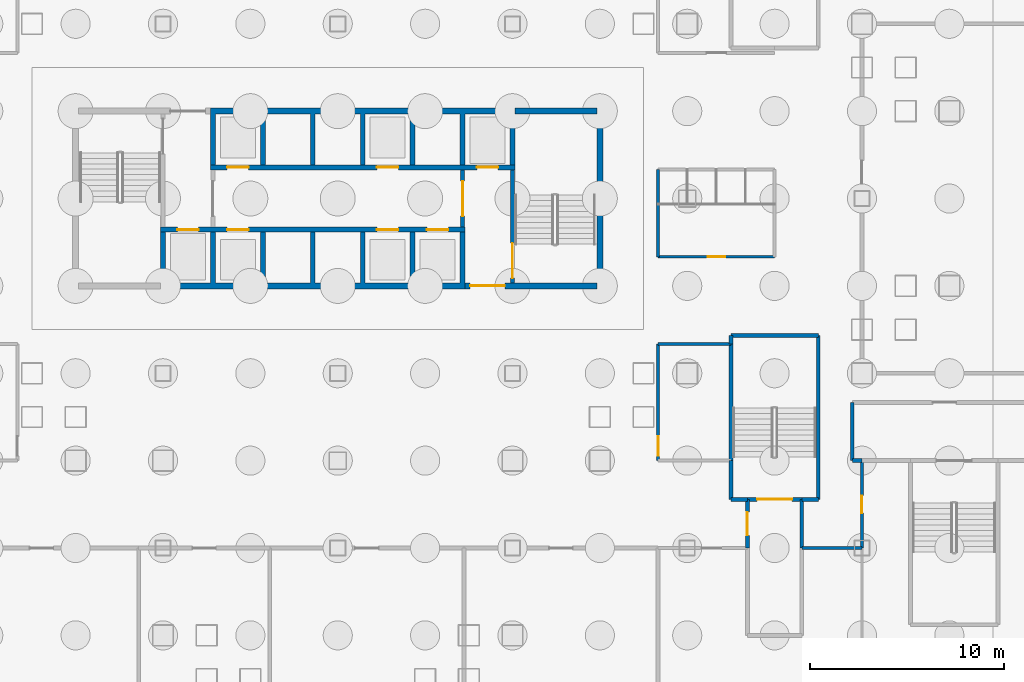
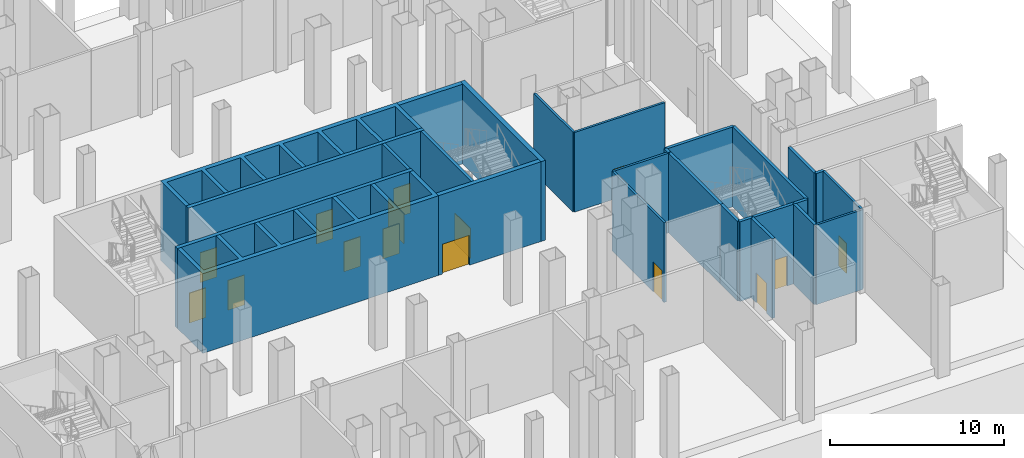
# One storey, part 4 of 25: 27 walls, 15 doors, 15 openings.
"""IFC4 building model written with IfcOpenShell, lengths in metres."""

from ifc_helpers import new_model, si_unit, direction, frame, frame_2d, origin, place, context, subcontext, project, spatial, polyline, rectangle, outline, extrude, material, layer, layer_set, type_object, element, fill, save


model = new_model("IFC4")

# Units and contexts
model_context = context("Model", 3, precision=1e-05, world=origin(), true_north=direction((0.0, 1.0)))
body_context = subcontext(model_context, "Body", "Model", "MODEL_VIEW")
ifc_project = project(units=[si_unit("LENGTHUNIT", "METRE"), si_unit("AREAUNIT", "SQUARE_METRE"), si_unit("VOLUMEUNIT", "CUBIC_METRE"), si_unit("PLANEANGLEUNIT", "RADIAN"), si_unit("MASSUNIT", "GRAM", prefix="KILO")], contexts=[model_context])

# Site, building, storey
site_placement = place(None, origin())
site = spatial("IfcSite", under=ifc_project, at=site_placement, CompositionType="ELEMENT")
building_placement = place(site_placement, origin())
building = spatial("IfcBuilding", under=site, at=building_placement, Name="Caravel Reach Hotel and Residences", CompositionType="ELEMENT")
storey_placement = place(building_placement, frame((0.0, 0.0, -6.0)))
storey = spatial("IfcBuildingStorey", under=building, at=storey_placement, Name="B1", CompositionType="ELEMENT", Elevation=-6.0)

# Wall
ifc_material_1 = material(Name="Autoclaved aerated block wall")
ifc_layer_1 = layer(ifc_material_1, 0.199951171875)
ifc_layer_set_1 = layer_set([ifc_layer_1], Name="Compartment wall 200 mm EI 120")
wall_type_1 = type_object("IfcWallType", Name="Compartment wall 200 mm EI 120", PredefinedType="PARTITIONING", material=ifc_layer_set_1)
wall_1_placement = place(storey_placement, frame((58.0, 13.5, 0.0), z_axis=(0.0, 0.0, 1.0), x_axis=(1.0, 0.0, 0.0)))
element("IfcWall", 1, at=wall_1_placement, inside=storey, type_object=wall_type_1, Name="B1 wall w031", PredefinedType="PARTITIONING", context=body_context, shape_type="SweptSolid", body=[
    extrude(rectangle(XDim=0.5, YDim=0.199951171875, at=frame_2d((0.25, 0.0))), origin(), (0.0, 0.0, 1.0), 5.60009765625),
])

# Wall, opening, door
wall_2_placement = place(storey_placement, frame((52.60009765625, 9.0, 0.0), z_axis=(0.0, 0.0, 1.0), x_axis=(0.0, 1.0, 0.0)))
wall_2 = element("IfcWall", 2, at=wall_2_placement, inside=storey, type_object=wall_type_1, Name="B1 wall w073", PredefinedType="PARTITIONING", context=body_context, shape_type="SweptSolid", body=[
    extrude(rectangle(XDim=2.5, YDim=0.199951171875, at=frame_2d((1.25, 0.0))), origin(), (0.0, 0.0, 1.0), 5.60009765625),
])
opening_1_placement = place(wall_2_placement, frame((0.64990234375, 0.0, 0.0)))
opening_1 = element("IfcOpeningElement", 3, at=opening_1_placement, cuts=wall_2, Name="Opening DB1-020", PredefinedType="OPENING", context=body_context, shape_type="SweptSolid", body=[
    extrude(rectangle(XDim=1.199951171875, YDim=2.10009765625, at=frame_2d((0.60009765625, 1.050048828125))), frame((0.0, 0.10986328125, 0.0), z_axis=(0.0, -1.0, 0.0), x_axis=(1.0, 0.0, 0.0)), (0.0, 0.0, 1.0), 0.219970703125),
])
ifc_material_2 = material(Name="Steel fire door leaf", Category="steel")
door_type_1 = type_object("IfcDoorType", Name="Fire lobby door 1200 x 2100 EI 90", OperationType="SINGLE_SWING_LEFT", PredefinedType="DOOR", material=ifc_material_2)
door_1_placement = place(opening_1_placement, origin())
door_1 = element("IfcDoor", 4, at=door_1_placement, inside=storey, type_object=door_type_1, Name="door DB1-020", OperationType="SINGLE_SWING_RIGHT", OverallHeight=2.10009765625, OverallWidth=1.199951171875, PredefinedType="DOOR", context=body_context, shape_type="SweptSolid", body=[
    extrude(rectangle(XDim=1.199951171875, YDim=2.10009765625, at=frame_2d((0.60009765625, 1.050048828125))), frame((0.0, 0.02490234375, 0.0), z_axis=(0.0, -1.0, 0.0), x_axis=(1.0, 0.0, 0.0)), (0.0, 0.0, 1.0), 0.050048828125),
])
fill(opening_1, door_1)

# Walls
wall_3_placement = place(storey_placement, frame((55.39990234375, 9.0, 0.0), z_axis=(0.0, 0.0, 1.0), x_axis=(0.0, 1.0, 0.0)))
element("IfcWall", 5, at=wall_3_placement, inside=storey, type_object=wall_type_1, Name="B1 wall w076", PredefinedType="PARTITIONING", context=body_context, shape_type="SweptSolid", body=[
    extrude(rectangle(XDim=2.5, YDim=0.199951171875, at=frame_2d((1.25, 0.0))), origin(), (0.0, 0.0, 1.0), 5.60009765625),
])
wall_4_placement = place(storey_placement, frame((58.0, 13.5, 0.0), z_axis=(0.0, 0.0, 1.0), x_axis=(0.0, 1.0, 0.0)))
element("IfcWall", 6, at=wall_4_placement, inside=storey, type_object=wall_type_1, Name="B1 wall w079", PredefinedType="PARTITIONING", context=body_context, shape_type="SweptSolid", body=[
    extrude(rectangle(XDim=3.0, YDim=0.199951171875, at=frame_2d((1.5, 0.0))), origin(), (0.0, 0.0, 1.0), 5.60009765625),
])

# Wall, opening, door
ifc_material_3 = material(Name="Concrete C60", Category="concrete")
ifc_layer_2 = layer(ifc_material_3, 0.300048828125)
ifc_layer_set_2 = layer_set([ifc_layer_2], Name="Core wall 300 mm EI 120")
wall_type_2 = type_object("IfcWallType", Name="Core wall 300 mm EI 120", PredefinedType="SHEAR", material=ifc_layer_set_2)
wall_5_placement = place(storey_placement, frame((38.053466796875, 22.5, 0.0), z_axis=(0.0, 0.0, 1.0), x_axis=(1.0, 0.0, 0.0)))
wall_5 = element("IfcWall", 7, at=wall_5_placement, inside=storey, type_object=wall_type_2, Name="B1 core wall S2", PredefinedType="SHEAR", context=body_context, shape_type="SweptSolid", body=[
    extrude(rectangle(XDim=6.796630859375, YDim=0.300048828125, at=frame_2d((3.3984375, 0.0))), origin(), (0.0, 0.0, 1.0), 5.60009765625),
])
opening_2_placement = place(wall_5_placement, frame((0.2607421875, 0.0, 0.0)))
opening_2 = element("IfcOpeningElement", 8, at=opening_2_placement, cuts=wall_5, Name="Opening DB1-013", PredefinedType="OPENING", context=body_context, shape_type="SweptSolid", body=[
    extrude(rectangle(XDim=1.800048828125, YDim=2.10009765625, at=frame_2d((0.89990234375, 1.050048828125))), frame((0.0, 0.159912109375, 0.0), z_axis=(0.0, -1.0, 0.0), x_axis=(1.0, 0.0, 0.0)), (0.0, 0.0, 1.0), 0.320068359375),
])
ifc_material_4 = material(Name="Steel fire door leaf", Category="steel")
door_type_2 = type_object("IfcDoorType", Name="Fire lobby door pair 1800 x 2100 EI 90", OperationType="DOUBLE_DOOR_SINGLE_SWING", PredefinedType="DOOR", material=ifc_material_4)
door_2_placement = place(opening_2_placement, origin())
door_2 = element("IfcDoor", 9, at=door_2_placement, inside=storey, type_object=door_type_2, Name="lobby S door pair to corridor", OperationType="DOUBLE_DOOR_SINGLE_SWING", OverallHeight=2.10009765625, OverallWidth=1.800048828125, PredefinedType="DOOR", context=body_context, shape_type="SweptSolid", body=[
    extrude(rectangle(XDim=1.800048828125, YDim=2.10009765625, at=frame_2d((0.89990234375, 1.050048828125))), frame((0.0, 0.02490234375, 0.0), z_axis=(0.0, -1.0, 0.0), x_axis=(1.0, 0.0, 0.0)), (0.0, 0.0, 1.0), 0.050048828125),
])
fill(opening_2, door_2)

# Walls
wall_6_placement = place(storey_placement, frame((40.625, 31.5, 0.0), z_axis=(0.0, 0.0, 1.0), x_axis=(1.0, 0.0, 0.0)))
element("IfcWall", 10, at=wall_6_placement, inside=storey, type_object=wall_type_2, Name="B1 core wall N2", PredefinedType="SHEAR", context=body_context, shape_type="SweptSolid", body=[
    extrude(rectangle(XDim=4.22509765625, YDim=0.300048828125, at=frame_2d((2.112548828125, 0.0))), origin(), (0.0, 0.0, 1.0), 5.60009765625),
])
wall_7_placement = place(storey_placement, frame((45.0, 22.35009765625, 0.0), z_axis=(0.0, 0.0, 1.0), x_axis=(0.0, 1.0, 0.0)))
element("IfcWall", 11, at=wall_7_placement, inside=storey, type_object=wall_type_2, Name="B1 core wall E", PredefinedType="SHEAR", context=body_context, shape_type="SweptSolid", body=[
    extrude(rectangle(XDim=9.2998046875, YDim=0.300048828125, at=frame_2d((4.64990234375, 0.0))), origin(), (0.0, 0.0, 1.0), 5.60009765625),
])
ifc_material_5 = material(Name="Gypsum board on steel stud, fire-rated", Category="steel")
ifc_layer_3 = layer(ifc_material_5, 0.14990234375)
ifc_layer_set_3 = layer_set([ifc_layer_3], Name="Corridor wall 150 mm EI 60")
wall_type_3 = type_object("IfcWallType", Name="Corridor wall 150 mm EI 60", PredefinedType="PARTITIONING", material=ifc_layer_set_3)
wall_8_placement = place(storey_placement, frame((48.0, 19.5, 0.0), z_axis=(0.0, 0.0, 1.0), x_axis=(1.0, 0.0, 0.0)))
element("IfcWall", 12, at=wall_8_placement, inside=storey, type_object=wall_type_3, Name="B1 wall w004", PredefinedType="PARTITIONING", context=body_context, shape_type="SweptSolid", body=[
    extrude(rectangle(XDim=3.75, YDim=0.14990234375, at=frame_2d((1.875, 0.0))), origin(), (0.0, 0.0, 1.0), 5.60009765625),
])

# Wall, opening, door
wall_9_placement = place(storey_placement, frame((48.0, 24.0, 0.0), z_axis=(0.0, 0.0, 1.0), x_axis=(1.0, 0.0, 0.0)))
wall_9 = element("IfcWall", 13, at=wall_9_placement, inside=storey, type_object=wall_type_3, Name="B1 wall w005", PredefinedType="PARTITIONING", context=body_context, shape_type="SweptSolid", body=[
    extrude(rectangle(XDim=6.0, YDim=0.14990234375, at=frame_2d((3.0, 0.0))), origin(), (0.0, 0.0, 1.0), 5.60009765625),
])
opening_3_placement = place(wall_9_placement, frame((2.550048828125, 0.0, 0.0)))
opening_3 = element("IfcOpeningElement", 14, at=opening_3_placement, cuts=wall_9, Name="Opening DB1-050", PredefinedType="OPENING", context=body_context, shape_type="SweptSolid", body=[
    extrude(rectangle(XDim=0.89990234375, YDim=2.10009765625, at=frame_2d((0.449951171875, 1.050048828125))), frame((0.0, 0.0849609375, 0.0), z_axis=(0.0, -1.0, 0.0), x_axis=(1.0, 0.0, 0.0)), (0.0, 0.0, 1.0), 0.169921875),
])
ifc_material_6 = material(Name="Timber and steel door leaf", Category="steel")
door_type_3 = type_object("IfcDoorType", Name="Door 900 x 2100 timber", OperationType="SINGLE_SWING_LEFT", PredefinedType="DOOR", material=ifc_material_6)
door_3_placement = place(opening_3_placement, origin())
door_3 = element("IfcDoor", 15, at=door_3_placement, inside=storey, type_object=door_type_3, Name="door DB1-050", OperationType="SINGLE_SWING_LEFT", OverallHeight=2.10009765625, OverallWidth=0.89990234375, PredefinedType="DOOR", context=body_context, shape_type="SweptSolid", body=[
    extrude(rectangle(XDim=0.89990234375, YDim=2.10009765625, at=frame_2d((0.449951171875, 1.050048828125))), frame((0.0, 0.02490234375, 0.0), z_axis=(0.0, -1.0, 0.0), x_axis=(1.0, 0.0, 0.0)), (0.0, 0.0, 1.0), 0.050048828125),
])
fill(opening_3, door_3)

# Wall
wall_10_placement = place(storey_placement, frame((55.39990234375, 9.0, 0.0), z_axis=(0.0, 0.0, 1.0), x_axis=(1.0, 0.0, 0.0)))
element("IfcWall", 16, at=wall_10_placement, inside=storey, type_object=wall_type_3, Name="B1 wall w017", PredefinedType="PARTITIONING", context=body_context, shape_type="SweptSolid", body=[
    extrude(rectangle(XDim=3.10009765625, YDim=0.14990234375, at=frame_2d((1.550048828125, 0.0))), origin(), (0.0, 0.0, 1.0), 5.60009765625),
])

# Wall, opening, door
wall_11_placement = place(storey_placement, frame((48.0, 13.5, 0.0), z_axis=(0.0, 0.0, 1.0), x_axis=(0.0, 1.0, 0.0)))
wall_11 = element("IfcWall", 17, at=wall_11_placement, inside=storey, type_object=wall_type_3, Name="B1 wall w021", PredefinedType="PARTITIONING", context=body_context, shape_type="SweptSolid", body=[
    extrude(rectangle(XDim=6.0, YDim=0.14990234375, at=frame_2d((3.0, 0.0))), origin(), (0.0, 0.0, 1.0), 5.60009765625),
])
opening_4_placement = place(wall_11_placement, frame((0.25, 0.0, 0.0)))
opening_4 = element("IfcOpeningElement", 18, at=opening_4_placement, cuts=wall_11, Name="Opening DB1-048", PredefinedType="OPENING", context=body_context, shape_type="SweptSolid", body=[
    extrude(rectangle(XDim=1.0, YDim=2.10009765625, at=frame_2d((0.5, 1.050048828125))), frame((0.0, 0.0849609375, 0.0), z_axis=(0.0, -1.0, 0.0), x_axis=(1.0, 0.0, 0.0)), (0.0, 0.0, 1.0), 0.169921875),
])
ifc_material_7 = material(Name="Steel fire door leaf", Category="steel")
door_type_4 = type_object("IfcDoorType", Name="Fire door 1000 x 2100 EI 60", OperationType="SINGLE_SWING_LEFT", PredefinedType="DOOR", material=ifc_material_7)
door_4_placement = place(opening_4_placement, origin())
door_4 = element("IfcDoor", 19, at=door_4_placement, inside=storey, type_object=door_type_4, Name="door DB1-048", OperationType="SINGLE_SWING_LEFT", OverallHeight=2.10009765625, OverallWidth=1.0, PredefinedType="DOOR", context=body_context, shape_type="SweptSolid", body=[
    extrude(rectangle(XDim=1.0, YDim=2.10009765625, at=frame_2d((0.5, 1.050048828125))), frame((0.0, 0.02490234375, 0.0), z_axis=(0.0, -1.0, 0.0), x_axis=(1.0, 0.0, 0.0)), (0.0, 0.0, 1.0), 0.050048828125),
])
fill(opening_4, door_4)

# Wall
wall_12_placement = place(storey_placement, frame((48.0, 24.0, 0.0), z_axis=(0.0, 0.0, 1.0), x_axis=(0.0, 1.0, 0.0)))
element("IfcWall", 20, at=wall_12_placement, inside=storey, type_object=wall_type_3, Name="B1 wall w023", PredefinedType="PARTITIONING", context=body_context, shape_type="SweptSolid", body=[
    extrude(rectangle(XDim=4.5, YDim=0.14990234375, at=frame_2d((2.25, 0.0))), origin(), (0.0, 0.0, 1.0), 5.60009765625),
])

# Wall, opening, door
wall_13_placement = place(storey_placement, frame((58.5, 9.0, 0.0), z_axis=(0.0, 0.0, 1.0), x_axis=(0.0, 1.0, 0.0)))
wall_13 = element("IfcWall", 21, at=wall_13_placement, inside=storey, type_object=wall_type_3, Name="B1 wall w025", PredefinedType="PARTITIONING", context=body_context, shape_type="SweptSolid", body=[
    extrude(rectangle(XDim=4.5, YDim=0.14990234375, at=frame_2d((2.25, 0.0))), origin(), (0.0, 0.0, 1.0), 5.60009765625),
])
opening_5_placement = place(wall_13_placement, frame((1.800048828125, 0.0, 0.0)))
opening_5 = element("IfcOpeningElement", 22, at=opening_5_placement, cuts=wall_13, Name="Opening DB1-031", PredefinedType="OPENING", context=body_context, shape_type="SweptSolid", body=[
    extrude(rectangle(XDim=0.89990234375, YDim=2.10009765625, at=frame_2d((0.449951171875, 1.050048828125))), frame((0.0, 0.0849609375, 0.0), z_axis=(0.0, -1.0, 0.0), x_axis=(1.0, 0.0, 0.0)), (0.0, 0.0, 1.0), 0.169921875),
])
door_5_placement = place(opening_5_placement, origin())
door_5 = element("IfcDoor", 23, at=door_5_placement, inside=storey, type_object=door_type_3, Name="door DB1-031", OperationType="SINGLE_SWING_LEFT", OverallHeight=2.10009765625, OverallWidth=0.89990234375, PredefinedType="DOOR", context=body_context, shape_type="SweptSolid", body=[
    extrude(rectangle(XDim=0.89990234375, YDim=2.10009765625, at=frame_2d((0.449951171875, 1.050048828125))), frame((0.0, 0.02490234375, 0.0), z_axis=(0.0, -1.0, 0.0), x_axis=(1.0, 0.0, 0.0)), (0.0, 0.0, 1.0), 0.050048828125),
])
fill(opening_5, door_5)

ifc_material_8 = material(Name="Autoclaved aerated block wall")
ifc_layer_4 = layer(ifc_material_8, 0.199951171875)
ifc_layer_set_4 = layer_set([ifc_layer_4], Name="Fire lobby wall 200 mm EI 120")
wall_type_4 = type_object("IfcWallType", Name="Fire lobby wall 200 mm EI 120", PredefinedType="PARTITIONING", material=ifc_layer_set_4)
wall_14_placement = place(storey_placement, frame((37.928466796875, 25.52490234375, 0.0), z_axis=(0.0, 0.0, 1.0), x_axis=(0.0, 1.0, 0.0)))
wall_14 = element("IfcWall", 24, at=wall_14_placement, inside=storey, type_object=wall_type_4, Name="B1 lobby E wall", PredefinedType="PARTITIONING", context=body_context, shape_type="SweptSolid", body=[
    extrude(rectangle(XDim=2.9501953125, YDim=0.199951171875, at=frame_2d((1.47509765625, 0.0))), origin(), (0.0, 0.0, 1.0), 5.60009765625),
])
opening_6_placement = place(wall_14_placement, frame((0.574951171875, 0.0, 0.0)))
opening_6 = element("IfcOpeningElement", 25, at=opening_6_placement, cuts=wall_14, Name="Opening DB1-011", PredefinedType="OPENING", context=body_context, shape_type="SweptSolid", body=[
    extrude(rectangle(XDim=1.800048828125, YDim=2.10009765625, at=frame_2d((0.89990234375, 1.050048828125))), frame((0.0, 0.10986328125, 0.0), z_axis=(0.0, -1.0, 0.0), x_axis=(1.0, 0.0, 0.0)), (0.0, 0.0, 1.0), 0.219970703125),
])
door_6_placement = place(opening_6_placement, origin())
door_6 = element("IfcDoor", 26, at=door_6_placement, inside=storey, type_object=door_type_2, Name="lobby E door pair", OperationType="DOUBLE_DOOR_SINGLE_SWING", OverallHeight=2.10009765625, OverallWidth=1.800048828125, PredefinedType="DOOR", context=body_context, shape_type="SweptSolid", body=[
    extrude(rectangle(XDim=1.800048828125, YDim=2.10009765625, at=frame_2d((0.89990234375, 1.050048828125))), frame((0.0, 0.02490234375, 0.0), z_axis=(0.0, -1.0, 0.0), x_axis=(1.0, 0.0, 0.0)), (0.0, 0.0, 1.0), 0.050048828125),
])
fill(opening_6, door_6)

# Walls
ifc_material_9 = material(Name="Concrete C60", Category="concrete")
ifc_layer_5 = layer(ifc_material_9, 0.25)
ifc_layer_set_5 = layer_set([ifc_layer_5], Name="Shaft wall 250 mm EI 120")
wall_type_5 = type_object("IfcWallType", Name="Shaft wall 250 mm EI 120", PredefinedType="SHEAR", material=ifc_layer_set_5)
wall_15_placement = place(storey_placement, origin())
element("IfcWall", 27, at=wall_15_placement, inside=storey, type_object=wall_type_5, Name="B1 lift shaft wall S1", PredefinedType="SHEAR", context=body_context, shape_type="SweptSolid", body=[
    extrude(outline(polyline([(22.375, 22.35009765625), (38.053466796875, 22.35009765625), (38.053466796875, 25.27490234375), (37.803466796875, 25.27490234375), (37.803466796875, 22.64990234375), (35.482177734375, 22.64990234375), (35.482177734375, 25.27490234375), (35.232177734375, 25.27490234375), (35.232177734375, 22.64990234375), (32.91064453125, 22.64990234375), (32.91064453125, 25.27490234375), (32.66064453125, 25.27490234375), (32.66064453125, 22.64990234375), (30.33935546875, 22.64990234375), (30.33935546875, 25.27490234375), (30.08935546875, 25.27490234375), (30.08935546875, 22.64990234375), (27.767822265625, 22.64990234375), (27.767822265625, 25.27490234375), (27.517822265625, 25.27490234375), (27.517822265625, 22.64990234375), (25.196533203125, 22.64990234375), (25.196533203125, 25.27490234375), (24.946533203125, 25.27490234375), (24.946533203125, 22.64990234375), (22.625, 22.64990234375), (22.625, 25.27490234375), (22.375, 25.27490234375), (22.375, 22.35009765625)])), origin(), (0.0, 0.0, 1.0), 5.60009765625),
])
wall_16_placement = place(storey_placement, origin())
element("IfcWall", 28, at=wall_16_placement, inside=storey, type_object=wall_type_5, Name="B1 lift shaft wall N1", PredefinedType="SHEAR", context=body_context, shape_type="SweptSolid", body=[
    extrude(outline(polyline([(24.946533203125, 28.72509765625), (25.196533203125, 28.72509765625), (25.196533203125, 31.35009765625), (27.517822265625, 31.35009765625), (27.517822265625, 28.72509765625), (27.767822265625, 28.72509765625), (27.767822265625, 31.35009765625), (30.08935546875, 31.35009765625), (30.08935546875, 28.72509765625), (30.33935546875, 28.72509765625), (30.33935546875, 31.35009765625), (32.66064453125, 31.35009765625), (32.66064453125, 28.72509765625), (32.91064453125, 28.72509765625), (32.91064453125, 31.35009765625), (35.232177734375, 31.35009765625), (35.232177734375, 28.72509765625), (35.482177734375, 28.72509765625), (35.482177734375, 31.35009765625), (37.803466796875, 31.35009765625), (37.803466796875, 28.72509765625), (38.053466796875, 28.72509765625), (38.053466796875, 31.35009765625), (40.375, 31.35009765625), (40.375, 28.72509765625), (40.625, 28.72509765625), (40.625, 31.64990234375), (24.946533203125, 31.64990234375), (24.946533203125, 28.72509765625)])), origin(), (0.0, 0.0, 1.0), 5.60009765625),
])

# Wall, openings, doors
wall_17_placement = place(storey_placement, frame((22.375, 25.39990234375, 0.0), z_axis=(0.0, 0.0, 1.0), x_axis=(1.0, 0.0, 0.0)))
wall_17 = element("IfcWall", 29, at=wall_17_placement, inside=storey, type_object=wall_type_5, Name="B1 lobby wall S1", PredefinedType="SHEAR", context=body_context, shape_type="SweptSolid", body=[
    extrude(rectangle(XDim=15.678466796875, YDim=0.25, at=frame_2d((7.83935546875, 0.0))), origin(), (0.0, 0.0, 1.0), 5.60009765625),
])
opening_7_placement = place(wall_17_placement, frame((3.43212890625, 0.0, 0.0)))
opening_7 = element("IfcOpeningElement", 30, at=opening_7_placement, cuts=wall_17, Name="Opening DB1-001", PredefinedType="OPENING", context=body_context, shape_type="SweptSolid", body=[
    extrude(rectangle(XDim=1.10009765625, YDim=2.10009765625, at=frame_2d((0.550048828125, 1.050048828125))), frame((0.0, 0.135009765625, 0.0), z_axis=(0.0, -1.0, 0.0), x_axis=(1.0, 0.0, 0.0)), (0.0, 0.0, 1.0), 0.27001953125),
])
opening_8_placement = place(wall_17_placement, frame((11.146484375, 0.0, 0.0)))
opening_8 = element("IfcOpeningElement", 31, at=opening_8_placement, cuts=wall_17, Name="Opening DB1-002", PredefinedType="OPENING", context=body_context, shape_type="SweptSolid", body=[
    extrude(rectangle(XDim=1.10009765625, YDim=2.10009765625, at=frame_2d((0.550048828125, 1.050048828125))), frame((0.0, 0.135009765625, 0.0), z_axis=(0.0, -1.0, 0.0), x_axis=(1.0, 0.0, 0.0)), (0.0, 0.0, 1.0), 0.27001953125),
])
opening_9_placement = place(wall_17_placement, frame((13.718017578125, 0.0, 0.0)))
opening_9 = element("IfcOpeningElement", 32, at=opening_9_placement, cuts=wall_17, Name="Opening DB1-003", PredefinedType="OPENING", context=body_context, shape_type="SweptSolid", body=[
    extrude(rectangle(XDim=1.10009765625, YDim=2.10009765625, at=frame_2d((0.550048828125, 1.050048828125))), frame((0.0, 0.135009765625, 0.0), z_axis=(0.0, -1.0, 0.0), x_axis=(1.0, 0.0, 0.0)), (0.0, 0.0, 1.0), 0.27001953125),
])
opening_10_placement = place(wall_17_placement, frame((0.860595703125, 0.0, 0.0)))
opening_10 = element("IfcOpeningElement", 33, at=opening_10_placement, cuts=wall_17, Name="Opening DB1-006", PredefinedType="OPENING", context=body_context, shape_type="SweptSolid", body=[
    extrude(rectangle(XDim=1.10009765625, YDim=2.10009765625, at=frame_2d((0.550048828125, 1.050048828125))), frame((0.0, 0.135009765625, 0.0), z_axis=(0.0, -1.0, 0.0), x_axis=(1.0, 0.0, 0.0)), (0.0, 0.0, 1.0), 0.27001953125),
])
ifc_material_10 = material(Name="Stainless steel landing door", Category="steel")
door_type_5 = type_object("IfcDoorType", Name="Landing door LD 1100 x 2100 sliding", OperationType="DOUBLE_DOOR_SLIDING", PredefinedType="DOOR", material=ifc_material_10)
door_7_placement = place(opening_7_placement, origin())
door_7 = element("IfcDoor", 34, at=door_7_placement, inside=storey, type_object=door_type_5, Name="LP1 landing door", OperationType="DOUBLE_DOOR_SLIDING", OverallHeight=2.10009765625, OverallWidth=1.10009765625, PredefinedType="DOOR", context=body_context, shape_type="SweptSolid", body=[
    extrude(rectangle(XDim=1.10009765625, YDim=2.10009765625, at=frame_2d((0.550048828125, 1.050048828125))), frame((0.0, 0.02490234375, 0.0), z_axis=(0.0, -1.0, 0.0), x_axis=(1.0, 0.0, 0.0)), (0.0, 0.0, 1.0), 0.050048828125),
])
fill(opening_7, door_7)
door_8_placement = place(opening_8_placement, origin())
door_8 = element("IfcDoor", 35, at=door_8_placement, inside=storey, type_object=door_type_5, Name="LP2 landing door", OperationType="DOUBLE_DOOR_SLIDING", OverallHeight=2.10009765625, OverallWidth=1.10009765625, PredefinedType="DOOR", context=body_context, shape_type="SweptSolid", body=[
    extrude(rectangle(XDim=1.10009765625, YDim=2.10009765625, at=frame_2d((0.550048828125, 1.050048828125))), frame((0.0, 0.02490234375, 0.0), z_axis=(0.0, -1.0, 0.0), x_axis=(1.0, 0.0, 0.0)), (0.0, 0.0, 1.0), 0.050048828125),
])
fill(opening_8, door_8)
door_9_placement = place(opening_9_placement, origin())
door_9 = element("IfcDoor", 36, at=door_9_placement, inside=storey, type_object=door_type_5, Name="LP3 landing door", OperationType="DOUBLE_DOOR_SLIDING", OverallHeight=2.10009765625, OverallWidth=1.10009765625, PredefinedType="DOOR", context=body_context, shape_type="SweptSolid", body=[
    extrude(rectangle(XDim=1.10009765625, YDim=2.10009765625, at=frame_2d((0.550048828125, 1.050048828125))), frame((0.0, 0.02490234375, 0.0), z_axis=(0.0, -1.0, 0.0), x_axis=(1.0, 0.0, 0.0)), (0.0, 0.0, 1.0), 0.050048828125),
])
fill(opening_9, door_9)
door_10_placement = place(opening_10_placement, origin())
door_10 = element("IfcDoor", 37, at=door_10_placement, inside=storey, type_object=door_type_5, Name="FL1 landing door", OperationType="DOUBLE_DOOR_SLIDING", OverallHeight=2.10009765625, OverallWidth=1.10009765625, PredefinedType="DOOR", context=body_context, shape_type="SweptSolid", body=[
    extrude(rectangle(XDim=1.10009765625, YDim=2.10009765625, at=frame_2d((0.550048828125, 1.050048828125))), frame((0.0, 0.02490234375, 0.0), z_axis=(0.0, -1.0, 0.0), x_axis=(1.0, 0.0, 0.0)), (0.0, 0.0, 1.0), 0.050048828125),
])
fill(opening_10, door_10)

wall_18_placement = place(storey_placement, frame((24.946533203125, 28.60009765625, 0.0), z_axis=(0.0, 0.0, 1.0), x_axis=(1.0, 0.0, 0.0)))
wall_18 = element("IfcWall", 38, at=wall_18_placement, inside=storey, type_object=wall_type_5, Name="B1 lobby wall N1", PredefinedType="SHEAR", context=body_context, shape_type="SweptSolid", body=[
    extrude(rectangle(XDim=15.678466796875, YDim=0.25, at=frame_2d((7.83935546875, 0.0))), origin(), (0.0, 0.0, 1.0), 5.60009765625),
])
opening_11_placement = place(wall_18_placement, frame((0.860595703125, 0.0, 0.0)))
opening_11 = element("IfcOpeningElement", 39, at=opening_11_placement, cuts=wall_18, Name="Opening DB1-004", PredefinedType="OPENING", context=body_context, shape_type="SweptSolid", body=[
    extrude(rectangle(XDim=1.10009765625, YDim=2.10009765625, at=frame_2d((0.550048828125, 1.050048828125))), frame((0.0, 0.135009765625, 0.0), z_axis=(0.0, -1.0, 0.0), x_axis=(1.0, 0.0, 0.0)), (0.0, 0.0, 1.0), 0.27001953125),
])
opening_12_placement = place(wall_18_placement, frame((8.574951171875, 0.0, 0.0)))
opening_12 = element("IfcOpeningElement", 40, at=opening_12_placement, cuts=wall_18, Name="Opening DB1-005", PredefinedType="OPENING", context=body_context, shape_type="SweptSolid", body=[
    extrude(rectangle(XDim=1.10009765625, YDim=2.10009765625, at=frame_2d((0.550048828125, 1.050048828125))), frame((0.0, 0.135009765625, 0.0), z_axis=(0.0, -1.0, 0.0), x_axis=(1.0, 0.0, 0.0)), (0.0, 0.0, 1.0), 0.27001953125),
])
opening_13_placement = place(wall_18_placement, frame((13.718017578125, 0.0, 0.0)))
opening_13 = element("IfcOpeningElement", 41, at=opening_13_placement, cuts=wall_18, Name="Opening DB1-007", PredefinedType="OPENING", context=body_context, shape_type="SweptSolid", body=[
    extrude(rectangle(XDim=1.10009765625, YDim=2.10009765625, at=frame_2d((0.550048828125, 1.050048828125))), frame((0.0, 0.135009765625, 0.0), z_axis=(0.0, -1.0, 0.0), x_axis=(1.0, 0.0, 0.0)), (0.0, 0.0, 1.0), 0.27001953125),
])
door_11_placement = place(opening_11_placement, origin())
door_11 = element("IfcDoor", 42, at=door_11_placement, inside=storey, type_object=door_type_5, Name="LP4 landing door", OperationType="DOUBLE_DOOR_SLIDING", OverallHeight=2.10009765625, OverallWidth=1.10009765625, PredefinedType="DOOR", context=body_context, shape_type="SweptSolid", body=[
    extrude(rectangle(XDim=1.10009765625, YDim=2.10009765625, at=frame_2d((0.550048828125, 1.050048828125))), frame((0.0, 0.02490234375, 0.0), z_axis=(0.0, -1.0, 0.0), x_axis=(1.0, 0.0, 0.0)), (0.0, 0.0, 1.0), 0.050048828125),
])
fill(opening_11, door_11)
door_12_placement = place(opening_12_placement, origin())
door_12 = element("IfcDoor", 43, at=door_12_placement, inside=storey, type_object=door_type_5, Name="LP5 landing door", OperationType="DOUBLE_DOOR_SLIDING", OverallHeight=2.10009765625, OverallWidth=1.10009765625, PredefinedType="DOOR", context=body_context, shape_type="SweptSolid", body=[
    extrude(rectangle(XDim=1.10009765625, YDim=2.10009765625, at=frame_2d((0.550048828125, 1.050048828125))), frame((0.0, 0.02490234375, 0.0), z_axis=(0.0, -1.0, 0.0), x_axis=(1.0, 0.0, 0.0)), (0.0, 0.0, 1.0), 0.050048828125),
])
fill(opening_12, door_12)
door_13_placement = place(opening_13_placement, origin())
door_13 = element("IfcDoor", 44, at=door_13_placement, inside=storey, type_object=door_type_5, Name="FL2 landing door", OperationType="DOUBLE_DOOR_SLIDING", OverallHeight=2.10009765625, OverallWidth=1.10009765625, PredefinedType="DOOR", context=body_context, shape_type="SweptSolid", body=[
    extrude(rectangle(XDim=1.10009765625, YDim=2.10009765625, at=frame_2d((0.550048828125, 1.050048828125))), frame((0.0, 0.02490234375, 0.0), z_axis=(0.0, -1.0, 0.0), x_axis=(1.0, 0.0, 0.0)), (0.0, 0.0, 1.0), 0.050048828125),
])
fill(opening_13, door_13)

# Wall, opening, door
ifc_material_11 = material(Name="Concrete C60", Category="concrete")
ifc_layer_6 = layer(ifc_material_11, 0.199951171875)
ifc_layer_set_6 = layer_set([ifc_layer_6], Name="Stair enclosure wall 200 mm EI 120")
wall_type_6 = type_object("IfcWallType", Name="Stair enclosure wall 200 mm EI 120", PredefinedType="SHEAR", material=ifc_layer_set_6)
wall_19_placement = place(storey_placement, frame((40.5, 22.64990234375, 0.0), z_axis=(0.0, 0.0, 1.0), x_axis=(0.0, 1.0, 0.0)))
wall_19 = element("IfcWall", 45, at=wall_19_placement, inside=storey, type_object=wall_type_6, Name="B1 stair B wall", PredefinedType="SHEAR", context=body_context, shape_type="SweptSolid", body=[
    extrude(rectangle(XDim=5.8251953125, YDim=0.199951171875, at=frame_2d((2.91259765625, 0.0))), origin(), (0.0, 0.0, 1.0), 5.60009765625),
])
opening_14_placement = place(wall_19_placement, frame((0.25, 0.0, 0.0)))
opening_14 = element("IfcOpeningElement", 46, at=opening_14_placement, cuts=wall_19, Name="Opening DB1-009", PredefinedType="OPENING", context=body_context, shape_type="SweptSolid", body=[
    extrude(rectangle(XDim=1.800048828125, YDim=2.10009765625, at=frame_2d((0.89990234375, 1.050048828125))), frame((0.0, 0.10986328125, 0.0), z_axis=(0.0, -1.0, 0.0), x_axis=(1.0, 0.0, 0.0)), (0.0, 0.0, 1.0), 0.219970703125),
])
ifc_material_12 = material(Name="Steel fire door leaf", Category="steel")
door_type_6 = type_object("IfcDoorType", Name="Stair door pair 1800 x 2100 EI 90", OperationType="DOUBLE_DOOR_SINGLE_SWING", PredefinedType="DOOR", material=ifc_material_12)
door_14_placement = place(opening_14_placement, origin())
door_14 = element("IfcDoor", 47, at=door_14_placement, inside=storey, type_object=door_type_6, Name="stair B door pair", OperationType="DOUBLE_DOOR_SINGLE_SWING", OverallHeight=2.10009765625, OverallWidth=1.800048828125, PredefinedType="DOOR", context=body_context, shape_type="SweptSolid", body=[
    extrude(rectangle(XDim=1.800048828125, YDim=2.10009765625, at=frame_2d((0.89990234375, 1.050048828125))), frame((0.0, 0.02490234375, 0.0), z_axis=(0.0, -1.0, 0.0), x_axis=(1.0, 0.0, 0.0)), (0.0, 0.0, 1.0), 0.050048828125),
])
fill(opening_14, door_14)

# Walls
for number, where, z_axis, x_axis, name in (
    (48, (51.75, 11.5, 0.0), (0.0, 0.0, 1.0), (1.0, 0.0, 0.0), "B1 wall w087"),
    (49, (55.39990234375, 11.5, 0.0), (0.0, 0.0, 1.0), (1.0, 0.0, 0.0), "B1 wall w088"),
):
    element("IfcWall", number, at=place(storey_placement, frame(where, z_axis=z_axis, x_axis=x_axis)), inside=storey, type_object=wall_type_6, Name=name, PredefinedType="SHEAR", context=body_context, shape_type="SweptSolid", body=[
        extrude(rectangle(XDim=0.85009765625, YDim=0.199951171875, at=frame_2d((0.425048828125, 0.0))), origin(), (0.0, 0.0, 1.0), 5.60009765625),
    ])

# Wall, opening, door
wall_20_placement = place(storey_placement, frame((52.60009765625, 11.5, 0.0), z_axis=(0.0, 0.0, 1.0), x_axis=(1.0, 0.0, 0.0)))
wall_20 = element("IfcWall", 50, at=wall_20_placement, inside=storey, type_object=wall_type_6, Name="B1 wall w089", PredefinedType="SHEAR", context=body_context, shape_type="SweptSolid", body=[
    extrude(rectangle(XDim=2.7998046875, YDim=0.199951171875, at=frame_2d((1.39990234375, 0.0))), origin(), (0.0, 0.0, 1.0), 5.60009765625),
])
opening_15_placement = place(wall_20_placement, frame((0.5, 0.0, 0.0)))
opening_15 = element("IfcOpeningElement", 51, at=opening_15_placement, cuts=wall_20, Name="Opening DB1-021", PredefinedType="OPENING", context=body_context, shape_type="SweptSolid", body=[
    extrude(rectangle(XDim=1.800048828125, YDim=2.10009765625, at=frame_2d((0.89990234375, 1.050048828125))), frame((0.0, 0.10986328125, 0.0), z_axis=(0.0, -1.0, 0.0), x_axis=(1.0, 0.0, 0.0)), (0.0, 0.0, 1.0), 0.219970703125),
])
door_15_placement = place(opening_15_placement, origin())
door_15 = element("IfcDoor", 52, at=door_15_placement, inside=storey, type_object=door_type_6, Name="door DB1-021", OperationType="DOUBLE_DOOR_SINGLE_SWING", OverallHeight=2.10009765625, OverallWidth=1.800048828125, PredefinedType="DOOR", context=body_context, shape_type="SweptSolid", body=[
    extrude(rectangle(XDim=1.800048828125, YDim=2.10009765625, at=frame_2d((0.89990234375, 1.050048828125))), frame((0.0, 0.02490234375, 0.0), z_axis=(0.0, -1.0, 0.0), x_axis=(1.0, 0.0, 0.0)), (0.0, 0.0, 1.0), 0.050048828125),
])
fill(opening_15, door_15)

# Walls
wall_21_placement = place(storey_placement, frame((51.75, 19.949951171875, 0.0), z_axis=(0.0, 0.0, 1.0), x_axis=(1.0, 0.0, 0.0)))
element("IfcWall", 53, at=wall_21_placement, inside=storey, type_object=wall_type_6, Name="B1 wall w092", PredefinedType="SHEAR", context=body_context, shape_type="SweptSolid", body=[
    extrude(rectangle(XDim=4.5, YDim=0.199951171875, at=frame_2d((2.25, 0.0))), origin(), (0.0, 0.0, 1.0), 5.60009765625),
])
wall_22_placement = place(storey_placement, frame((51.75, 11.5, 0.0), z_axis=(0.0, 0.0, 1.0), x_axis=(0.0, 1.0, 0.0)))
element("IfcWall", 54, at=wall_22_placement, inside=storey, type_object=wall_type_6, Name="B1 wall w117", PredefinedType="SHEAR", context=body_context, shape_type="SweptSolid", body=[
    extrude(rectangle(XDim=2.0, YDim=0.199951171875, at=frame_2d((1.0, 0.0))), origin(), (0.0, 0.0, 1.0), 5.60009765625),
])
wall_23_placement = place(storey_placement, frame((51.75, 19.5, 0.0), z_axis=(0.0, 0.0, 1.0), x_axis=(0.0, 1.0, 0.0)))
element("IfcWall", 55, at=wall_23_placement, inside=storey, type_object=wall_type_6, Name="B1 wall w118", PredefinedType="SHEAR", context=body_context, shape_type="SweptSolid", body=[
    extrude(rectangle(XDim=0.449951171875, YDim=0.199951171875, at=frame_2d((0.22509765625, 0.0))), origin(), (0.0, 0.0, 1.0), 5.60009765625),
])
wall_24_placement = place(storey_placement, frame((51.75, 13.5, 0.0), z_axis=(0.0, 0.0, 1.0), x_axis=(0.0, 1.0, 0.0)))
element("IfcWall", 56, at=wall_24_placement, inside=storey, type_object=wall_type_6, Name="B1 wall w119", PredefinedType="SHEAR", context=body_context, shape_type="SweptSolid", body=[
    extrude(rectangle(XDim=6.0, YDim=0.199951171875, at=frame_2d((3.0, 0.0))), origin(), (0.0, 0.0, 1.0), 5.60009765625),
])
wall_25_placement = place(storey_placement, frame((56.25, 11.5, 0.0), z_axis=(0.0, 0.0, 1.0), x_axis=(0.0, 1.0, 0.0)))
element("IfcWall", 57, at=wall_25_placement, inside=storey, type_object=wall_type_6, Name="B1 wall w121", PredefinedType="SHEAR", context=body_context, shape_type="SweptSolid", body=[
    extrude(rectangle(XDim=8.449951171875, YDim=0.199951171875, at=frame_2d((4.22509765625, 0.0))), origin(), (0.0, 0.0, 1.0), 5.60009765625),
])

save(model, "model.ifc")
